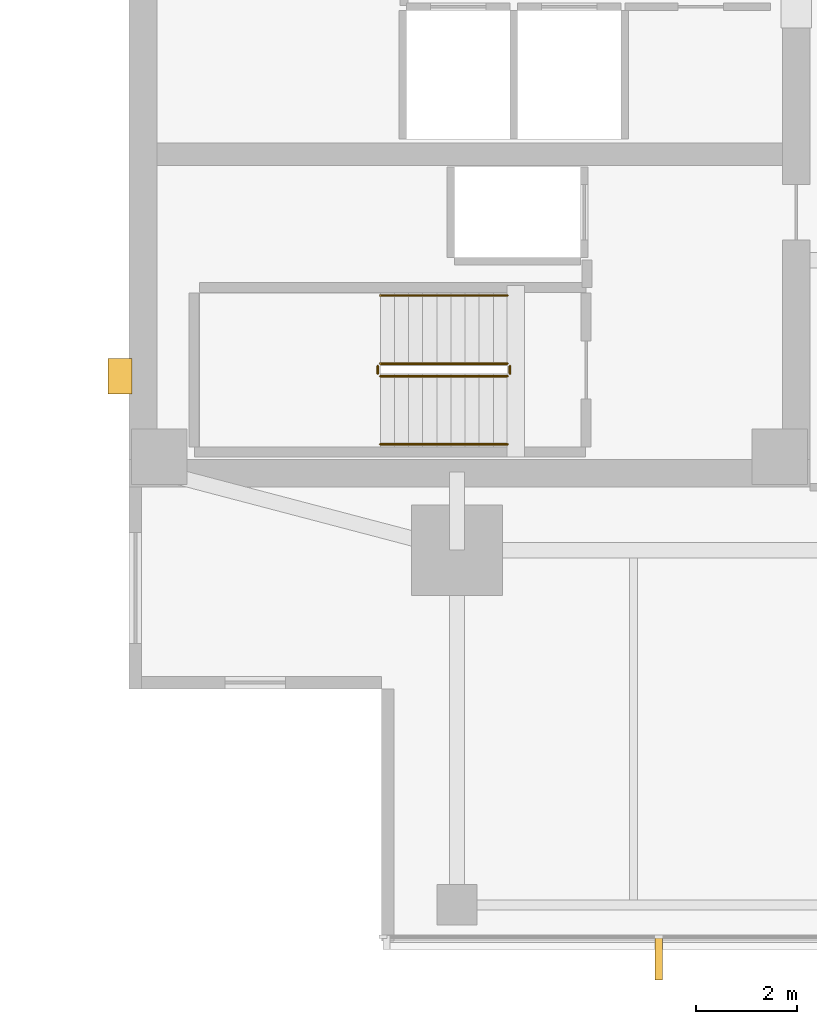
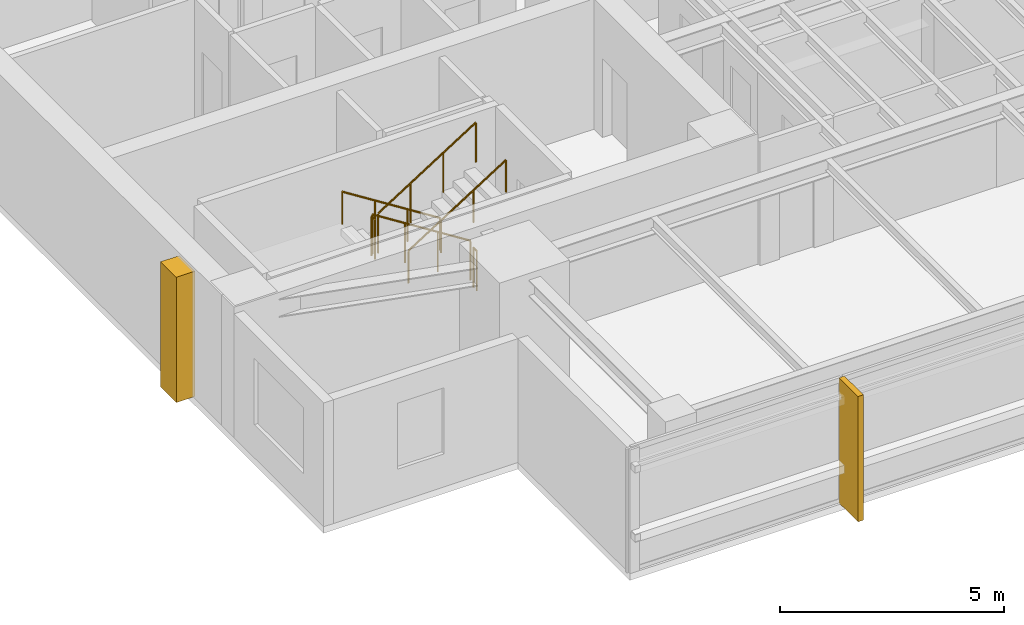
# One storey, part 11 of 14: 6 railings, 2 coverings.
"""IFC4 building model written with IfcOpenShell, lengths in metres."""

import ifcopenshell
import ifcopenshell.guid

model = None  # the IFC model being written
_history = None  # IfcOwnerHistory: only IFC2X3 demands one
_inside = {}  # id of a spatial element -> (the spatial element, [elements in it])
_under = {}  # id of a project, library or spatial element -> (it, [spatial elements below it])
_declared = {}  # id of a project -> (the project, [libraries it declares])
_typed = {}  # id of a type object -> (the type object, [elements of that type])
_made_of = {}  # id of a material, layer set ... -> (it, [elements and type objects made of it])


def new_model(schema):
    """Start an empty IFC model of exactly this schema.

    Asked for "IFC4X3", IfcOpenShell would pick the latest addendum, in which some entities
    have other attributes; the version numbers below select the first issue.
    IFC2X3 requires an IfcOwnerHistory on every rooted entity: one is made here for all.
    """
    global model, _history
    if schema == "IFC4X3":
        model = ifcopenshell.file(schema_version=(4, 3, 0, 0))
    else:
        model = ifcopenshell.file(schema=schema)
    _inside.clear()
    _under.clear()
    _declared.clear()
    _typed.clear()
    _made_of.clear()
    _history = None
    if model.schema == "IFC2X3":
        org = make("IfcOrganization", Name="unknown")
        user = make(
            "IfcPersonAndOrganization",
            ThePerson=make("IfcPerson", FamilyName="unknown"),
            TheOrganization=org,
        )
        app = make(
            "IfcApplication",
            ApplicationDeveloper=org,
            Version="unknown",
            ApplicationFullName="unknown",
            ApplicationIdentifier="unknown",
        )
        _history = make(
            "IfcOwnerHistory",
            OwningUser=user,
            OwningApplication=app,
            ChangeAction="ADDED",
            CreationDate=0,
        )
    return model


def make(cls, **values):
    """One entity of the class cls with the attributes given. An attribute that is None is left unset."""
    return model.create_entity(
        cls, **{name: value for name, value in values.items() if value is not None}
    )


def rooted(cls, **values):
    """An entity with a GlobalId (a new one), such as an element, a storey or a relation."""
    return make(cls, GlobalId=ifcopenshell.guid.new(), OwnerHistory=_history, **values)


def si_unit(unit_type, name, prefix=None):
    """IfcSIUnit, for example si_unit("LENGTHUNIT", "METRE", prefix="MILLI")."""
    return make("IfcSIUnit", UnitType=unit_type, Prefix=prefix, Name=name)


def assignment(units):
    """IfcUnitAssignment: the units of a project."""
    return None if units is None else make("IfcUnitAssignment", Units=units)


def point(xyz):
    """IfcCartesianPoint."""
    return None if xyz is None else make("IfcCartesianPoint", Coordinates=xyz)


def direction(xyz):
    """IfcDirection."""
    return None if xyz is None else make("IfcDirection", DirectionRatios=xyz)


def frame(location, z_axis=None, x_axis=None):
    """IfcAxis2Placement3D, a coordinate frame: its origin and axes. An axis left out is left unset."""
    return make(
        "IfcAxis2Placement3D",
        Location=point(location),
        Axis=direction(z_axis),
        RefDirection=direction(x_axis),
    )


def frame_2d(location, x_axis=None):
    """IfcAxis2Placement2D, a coordinate frame in the plane: its origin and x axis."""
    return make(
        "IfcAxis2Placement2D", Location=point(location), RefDirection=direction(x_axis)
    )


def origin():
    """The frame at (0, 0, 0) with its axes left unset."""
    return frame((0.0, 0.0, 0.0))


def origin_2d():
    """The frame at (0, 0) in the plane with its x axis left unset."""
    return frame_2d((0.0, 0.0))


def place(relative_to, where):
    """IfcLocalPlacement: puts the frame where relative to a parent placement (None: the world)."""
    return make(
        "IfcLocalPlacement", PlacementRelTo=relative_to, RelativePlacement=where
    )


def context(
    kind, dimensions, precision=None, world=None, true_north=None, identifier=None
):
    """IfcGeometricRepresentationContext, for example the 3D "Model" context."""
    return make(
        "IfcGeometricRepresentationContext",
        ContextIdentifier=identifier,
        ContextType=kind,
        CoordinateSpaceDimension=dimensions,
        Precision=precision,
        WorldCoordinateSystem=world,
        TrueNorth=true_north,
    )


def subcontext(parent, identifier, kind, view, scale=None):
    """IfcGeometricRepresentationSubContext, for example "Body" below "Model"."""
    return make(
        "IfcGeometricRepresentationSubContext",
        ContextIdentifier=identifier,
        ContextType=kind,
        ParentContext=parent,
        TargetScale=scale,
        TargetView=view,
    )


def project(units=None, contexts=None):
    """IfcProject with its units and contexts."""
    return rooted(
        "IfcProject",
        Name="project",
        RepresentationContexts=contexts,
        UnitsInContext=assignment(units),
    )


def spatial(cls, under=None, at=None, **own):
    """A site, building, storey or space (cls), placed at a placement, below another one or the project."""
    s = rooted(cls, ObjectPlacement=at, **own)
    if under is not None:
        _under.setdefault(under.id(), (under, []))[1].append(s)
    return s


def polyline(points):
    """IfcPolyline through the points."""
    return make("IfcPolyline", Points=[point(p) for p in points])


def profile(cls, at=None, kind="AREA", **sizes):
    """A parametric profile (cls). Its sizes go by their IFC names, for example OverallWidth=200.0."""
    return make(cls, ProfileType=kind, Position=at, **sizes)


def circle(**sizes):
    """IfcCircleProfileDef."""
    return profile("IfcCircleProfileDef", **sizes)


def outline(outer, holes=None, kind="AREA"):
    """IfcArbitraryClosedProfileDef: a profile drawn as a closed curve; with holes, ...WithVoids."""
    if holes is None:
        return make("IfcArbitraryClosedProfileDef", ProfileType=kind, OuterCurve=outer)
    return make(
        "IfcArbitraryProfileDefWithVoids",
        ProfileType=kind,
        OuterCurve=outer,
        InnerCurves=holes,
    )


def extrude(swept, where, along, depth):
    """IfcExtrudedAreaSolid: the profile swept, set in the frame where, extruded along a direction by depth."""
    return make(
        "IfcExtrudedAreaSolid",
        SweptArea=swept,
        Position=where,
        ExtrudedDirection=direction(along),
        Depth=depth,
    )


def shape(context_of_items, identifier, shape_type, items):
    """IfcShapeRepresentation: the items that make up one representation, for example the "Body"."""
    return make(
        "IfcShapeRepresentation",
        ContextOfItems=context_of_items,
        RepresentationIdentifier=identifier,
        RepresentationType=shape_type,
        Items=items,
    )


def material(Name=None, Category=None):
    """IfcMaterial."""
    return make("IfcMaterial", Name=Name, Category=Category)


def layer(
    of_material, thickness, ventilated=None, Name=None, Category=None, Priority=None
):
    """IfcMaterialLayer: one layer of a wall or slab, of a material (None: an air gap)."""
    return make(
        "IfcMaterialLayer",
        Material=of_material,
        LayerThickness=thickness,
        IsVentilated=ventilated,
        Name=Name,
        Category=Category,
        Priority=Priority,
    )


def layer_set(layers, Name=None):
    """IfcMaterialLayerSet."""
    return make("IfcMaterialLayerSet", MaterialLayers=layers, LayerSetName=Name)


def made_of(thing, what):
    """Note that an element or type object is made of a material, layer set ...; save() writes the relation."""
    if what is not None:
        _made_of.setdefault(what.id(), (what, []))[1].append(thing)
    return thing


def type_object(cls, material=None, **own):
    """A type object (cls), such as IfcWallType, which elements share."""
    return made_of(rooted(cls, **own), material)


def element(
    cls,
    number,
    at=None,
    inside=None,
    cuts=None,
    type_object=None,
    material=None,
    context=None,
    identifier="Body",
    shape_type=None,
    held_by="IfcProductDefinitionShape",
    body=None,
    shapes=None,
    **own,
):
    """One element of the class cls, such as IfcWall. Its Tag is "e" and its number.

    at: its placement. inside: the storey or other place that contains it. cuts: it is an
    opening in that element (IfcRelVoidsElement). A single representation is given by context,
    identifier, shape_type and body (its items); several are given by shapes. held_by: the class
    of the entity that holds the representations. save() writes the other relations.
    """
    e = rooted(cls, Tag="e%d" % number, ObjectPlacement=at, **own)
    if body is not None:
        shapes = [shape(context, identifier, shape_type, body)]
    if shapes is not None:
        e.Representation = make(held_by, Representations=shapes)
    if inside is not None:
        _inside.setdefault(inside.id(), (inside, []))[1].append(e)
    if cuts is not None:
        rooted(
            "IfcRelVoidsElement", RelatingBuildingElement=cuts, RelatedOpeningElement=e
        )
    if type_object is not None:
        _typed.setdefault(type_object.id(), (type_object, []))[1].append(e)
    return made_of(e, material)


def aggregate(whole, parts):
    """IfcRelAggregates: a whole, such as a stair, and the parts it consists of."""
    return rooted("IfcRelAggregates", RelatingObject=whole, RelatedObjects=parts)


def save(model, path):
    """Write the relations noted so far, then the file.

    IfcRelAggregates (storeys below a building ...), IfcRelContainedInSpatialStructure (elements
    in a storey), IfcRelDefinesByType, IfcRelAssociatesMaterial and IfcRelDeclares: one each for
    every whole, place, type object, material and project.
    """
    for whole, parts in _under.values():
        aggregate(whole, parts)
    for where, things in _inside.values():
        rooted(
            "IfcRelContainedInSpatialStructure",
            RelatedElements=things,
            RelatingStructure=where,
        )
    for kind, things in _typed.values():
        rooted("IfcRelDefinesByType", RelatedObjects=things, RelatingType=kind)
    for what, things in _made_of.values():
        rooted("IfcRelAssociatesMaterial", RelatedObjects=things, RelatingMaterial=what)
    for by, libraries in _declared.values():
        rooted("IfcRelDeclares", RelatingContext=by, RelatedDefinitions=libraries)
    model.write(path)


model = new_model("IFC4")

# Units and contexts
model_context = context("Model", 3, precision=1e-05, world=origin(), true_north=direction((0.0, 1.0)))
body_context = subcontext(model_context, "Body", "Model", "MODEL_VIEW")
ifc_project = project(units=[si_unit("LENGTHUNIT", "METRE"), si_unit("AREAUNIT", "SQUARE_METRE"), si_unit("VOLUMEUNIT", "CUBIC_METRE"), si_unit("PLANEANGLEUNIT", "RADIAN"), si_unit("MASSUNIT", "GRAM", prefix="KILO")], contexts=[model_context])

# Site, building, storey
site_placement = place(None, origin())
site = spatial("IfcSite", under=ifc_project, at=site_placement, CompositionType="ELEMENT")
building_placement = place(site_placement, origin())
building = spatial("IfcBuilding", under=site, at=building_placement, Name="Kinhvarn Gate Tower", CompositionType="ELEMENT")
storey_placement = place(building_placement, frame((0.0, 0.0, 195.14990234375)))
storey = spatial("IfcBuildingStorey", under=building, at=storey_placement, Name="L51", CompositionType="ELEMENT", Elevation=195.14990234375)

# Coverings
ifc_material_1 = material(Name="Fired architectural terracotta", Category="masonry")
ifc_layer_1 = layer(ifc_material_1, 0.139892578125)
ifc_layer_set_1 = layer_set([ifc_layer_1], Name="Fired architectural terracotta")
covering_type_1 = type_object("IfcCoveringType", Name="COV-FIN-850", PredefinedType="CLADDING", material=ifc_layer_set_1)
covering_1_placement = place(storey_placement, frame((0.0, 0.0, -0.02001953125)))
element("IfcCovering", 1, at=covering_1_placement, inside=storey, type_object=covering_type_1, Name="Vertical Terracotta Expressive Fin TFN-850 (L51)", PredefinedType="CLADDING", context=body_context, shape_type="SweptSolid", body=[
    extrude(outline(polyline([(14.929931640625, 5.080078125), (15.070068359375, 5.080078125), (15.070068359375, 4.22998046875), (14.929931640625, 4.22998046875), (14.929931640625, 5.080078125)])), origin(), (0.0, 0.0, 1.0), 3.41015625),
])
ifc_material_2 = material(Name="Precast white architectural concrete C40/50", Category="concrete")
ifc_layer_2 = layer(ifc_material_2, 0.47998046875)
ifc_layer_set_2 = layer_set([ifc_layer_2], Name="Precast white architectural concrete C40/50")
covering_type_2 = type_object("IfcCoveringType", Name="COV-RIB-450", PredefinedType="CLADDING", material=ifc_layer_set_2)
covering_2_placement = place(storey_placement, frame((0.0, 0.0, -0.02001953125)))
element("IfcCovering", 2, at=covering_2_placement, inside=storey, type_object=covering_type_2, Name="West Core Sculptural Concrete Relief Rib CRB-450 (L51)", PredefinedType="CLADDING", context=body_context, shape_type="SweptSolid", body=[
    extrude(outline(polyline([(4.080078125, 15.85009765625), (4.56005859375, 15.85009765625), (4.56005859375, 16.550048828125), (4.080078125, 16.550048828125), (4.080078125, 15.85009765625)])), origin(), (0.0, 0.0, 1.0), 3.41015625),
])

# Railings
ifc_material_3 = material(Name="Steel S355", Category="steel")
railing_type_1 = type_object("IfcRailingType", Name="RL-ST-GRD", PredefinedType="BALUSTRADE", material=ifc_material_3)
railing_1_placement = place(storey_placement, frame((12.0, 16.449951171875, 0.177490234375)))
element("IfcRailing", 3, at=railing_1_placement, inside=storey, type_object=railing_type_1, Name="L51 ST1 stair guard 1", PredefinedType="BALUSTRADE", context=body_context, shape_type="SweptSolid", body=[
    extrude(circle(Radius=0.02392578125, at=origin_2d()), frame((0.0, 0.0, 1.076171875), z_axis=(-0.84456994832, 0.0, 0.535445237532), x_axis=(0.0, -1.0, 0.0)), (0.0, 0.0, 1.0), 2.98388671875),
    extrude(circle(Radius=0.02099609375, at=origin_2d()), origin(), (0.0, 0.0, 1.0), 1.052001953125),
    extrude(circle(Radius=0.02099609375, at=origin_2d()), frame((-0.840087890625, 0.0, 0.532470703125)), (0.0, 0.0, 1.0), 1.052001953125),
    extrude(circle(Radius=0.02099609375, at=origin_2d()), frame((-1.679931640625, 0.0, 1.065185546875)), (0.0, 0.0, 1.0), 1.052001953125),
    extrude(circle(Radius=0.02099609375, at=origin_2d()), frame((-2.52001953125, 0.0, 1.59765625)), (0.0, 0.0, 1.0), 1.052001953125),
])
railing_2_placement = place(storey_placement, frame((9.429931640625, 16.39990234375, 1.775146484375)))
element("IfcRailing", 4, at=railing_2_placement, inside=storey, type_object=railing_type_1, Name="L51 ST1 stair guard 2", PredefinedType="BALUSTRADE", context=body_context, shape_type="SweptSolid", body=[
    extrude(circle(Radius=0.02392578125, at=origin_2d()), frame((0.0, 0.0, 1.076171875), z_axis=(0.0, -1.0, 0.0), x_axis=(1.0, 0.0, 0.0)), (0.0, 0.0, 1.0), 0.14990234375),
    extrude(circle(Radius=0.02099609375, at=origin_2d()), origin(), (0.0, 0.0, 1.0), 1.052001953125),
    extrude(circle(Radius=0.02099609375, at=origin_2d()), frame((0.0, -0.14990234375, 0.0)), (0.0, 0.0, 1.0), 1.052001953125),
])
railing_3_placement = place(storey_placement, frame((9.47998046875, 16.199951171875, 1.95263671875)))
element("IfcRailing", 5, at=railing_3_placement, inside=storey, type_object=railing_type_1, Name="L51 ST1 stair guard 3", PredefinedType="BALUSTRADE", context=body_context, shape_type="SweptSolid", body=[
    extrude(circle(Radius=0.02392578125, at=origin_2d()), frame((0.0, 0.0, 1.076171875), z_axis=(0.84460694969, 0.0, 0.535386869969), x_axis=(0.0, 1.0, 0.0)), (0.0, 0.0, 1.0), 2.983642578125),
    extrude(circle(Radius=0.02099609375, at=origin_2d()), origin(), (0.0, 0.0, 1.0), 1.052001953125),
    extrude(circle(Radius=0.02099609375, at=origin_2d()), frame((0.840087890625, 0.0, 0.532470703125)), (0.0, 0.0, 1.0), 1.052001953125),
    extrude(circle(Radius=0.02099609375, at=origin_2d()), frame((1.679931640625, 0.0, 1.06494140625)), (0.0, 0.0, 1.0), 1.052001953125),
    extrude(circle(Radius=0.02099609375, at=origin_2d()), frame((2.52001953125, 0.0, 1.597412109375)), (0.0, 0.0, 1.0), 1.052001953125),
])
railing_4_placement = place(storey_placement, frame((12.050048828125, 16.39990234375, 0.0)))
element("IfcRailing", 6, at=railing_4_placement, inside=storey, type_object=railing_type_1, Name="L51 ST1 stair guard 4", PredefinedType="BALUSTRADE", context=body_context, shape_type="SweptSolid", body=[
    extrude(circle(Radius=0.02392578125, at=origin_2d()), frame((0.0, 0.0, 1.076171875), z_axis=(0.0, -1.0, 0.0), x_axis=(1.0, 0.0, 0.0)), (0.0, 0.0, 1.0), 0.14990234375),
    extrude(circle(Radius=0.02099609375, at=origin_2d()), origin(), (0.0, 0.0, 1.0), 1.052001953125),
    extrude(circle(Radius=0.02099609375, at=origin_2d()), frame((0.0, -0.14990234375, 0.0)), (0.0, 0.0, 1.0), 1.052001953125),
])
railing_type_2 = type_object("IfcRailingType", Name="RL-ST-HND", PredefinedType="HANDRAIL", material=ifc_material_3)
railing_5_placement = place(storey_placement, frame((12.0, 17.800048828125, 0.177490234375)))
element("IfcRailing", 7, at=railing_5_placement, inside=storey, type_object=railing_type_2, Name="L51 ST1 stair handrail 1", PredefinedType="HANDRAIL", context=body_context, shape_type="SweptSolid", body=[
    extrude(circle(Radius=0.02392578125, at=origin_2d()), frame((0.0, 0.0, 0.8759765625), z_axis=(-0.84456994832, 0.0, 0.535445237532), x_axis=(0.0, -1.0, 0.0)), (0.0, 0.0, 1.0), 2.98388671875),
    extrude(circle(Radius=0.02099609375, at=origin_2d()), origin(), (0.0, 0.0, 1.0), 0.851806640625),
    extrude(circle(Radius=0.02099609375, at=origin_2d()), frame((-0.840087890625, 0.0, 0.532470703125)), (0.0, 0.0, 1.0), 0.851806640625),
    extrude(circle(Radius=0.02099609375, at=origin_2d()), frame((-1.679931640625, 0.0, 1.065185546875)), (0.0, 0.0, 1.0), 0.851806640625),
    extrude(circle(Radius=0.02099609375, at=origin_2d()), frame((-2.52001953125, 0.0, 1.59765625)), (0.0, 0.0, 1.0), 0.851806640625),
])
railing_6_placement = place(storey_placement, frame((9.47998046875, 14.85009765625, 1.95263671875)))
element("IfcRailing", 8, at=railing_6_placement, inside=storey, type_object=railing_type_2, Name="L51 ST1 stair handrail 2", PredefinedType="HANDRAIL", context=body_context, shape_type="SweptSolid", body=[
    extrude(circle(Radius=0.02392578125, at=origin_2d()), frame((0.0, 0.0, 0.8759765625), z_axis=(0.84460694969, 0.0, 0.535386869969), x_axis=(0.0, 1.0, 0.0)), (0.0, 0.0, 1.0), 2.983642578125),
    extrude(circle(Radius=0.02099609375, at=origin_2d()), origin(), (0.0, 0.0, 1.0), 0.851806640625),
    extrude(circle(Radius=0.02099609375, at=origin_2d()), frame((0.840087890625, 0.0, 0.532470703125)), (0.0, 0.0, 1.0), 0.851806640625),
    extrude(circle(Radius=0.02099609375, at=origin_2d()), frame((1.679931640625, 0.0, 1.06494140625)), (0.0, 0.0, 1.0), 0.851806640625),
    extrude(circle(Radius=0.02099609375, at=origin_2d()), frame((2.52001953125, 0.0, 1.597412109375)), (0.0, 0.0, 1.0), 0.851806640625),
])

save(model, "model.ifc")
